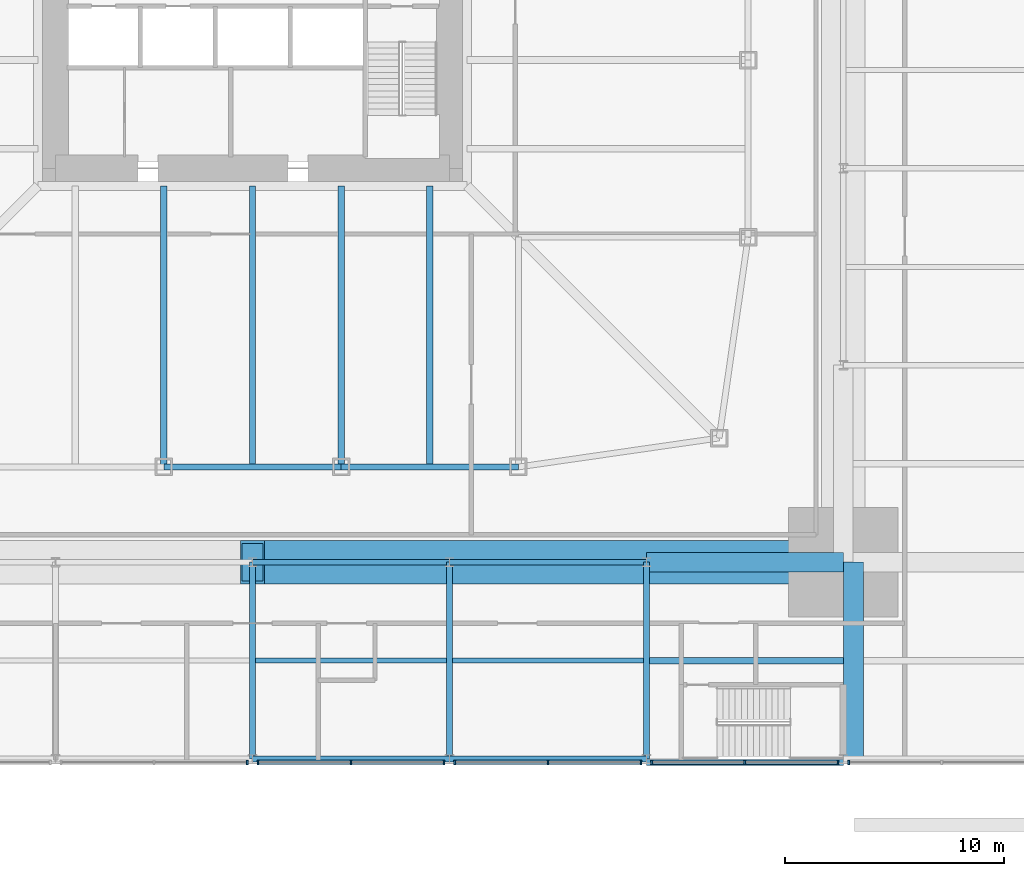
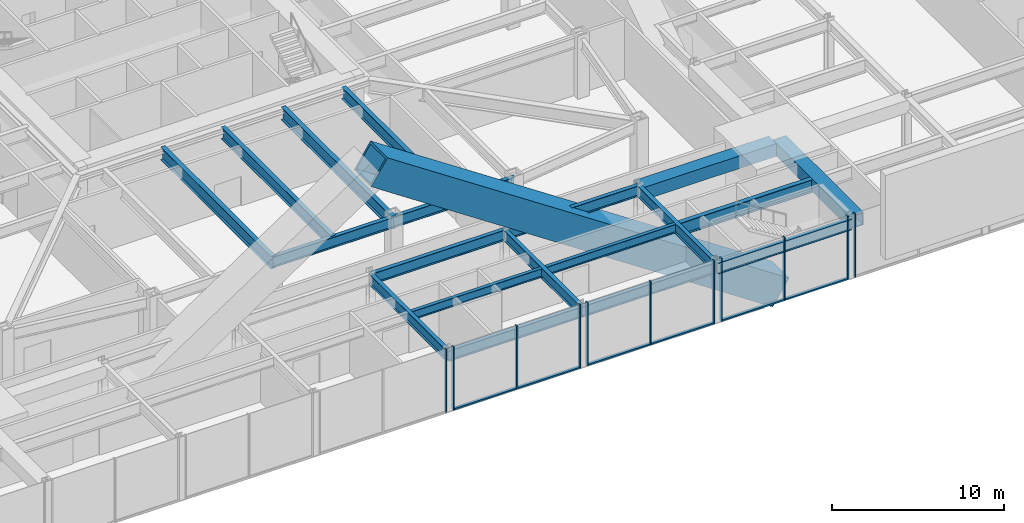
# One storey, part 8 of 32: 19 beams, 18 members, 5 elements without a shape of their own.
"""IFC4 building model written with IfcOpenShell, lengths in metres."""

from ifc_helpers import new_model, si_unit, direction, frame, origin, origin_2d, place, context, subcontext, project, spatial, rectangle, hollow_rectangle, i_section, extrude, material, material_profile, profile_set, type_object, element, aggregate, save


model = new_model("IFC4")

# Units and contexts
model_context = context("Model", 3, precision=1e-05, world=origin(), true_north=direction((0.0, 1.0)))
body_context = subcontext(model_context, "Body", "Model", "MODEL_VIEW")
ifc_project = project(units=[si_unit("LENGTHUNIT", "METRE"), si_unit("AREAUNIT", "SQUARE_METRE"), si_unit("VOLUMEUNIT", "CUBIC_METRE"), si_unit("PLANEANGLEUNIT", "RADIAN"), si_unit("MASSUNIT", "GRAM", prefix="KILO")], contexts=[model_context])

# Site, building, storey
site_placement = place(None, origin())
site = spatial("IfcSite", under=ifc_project, at=site_placement, CompositionType="ELEMENT")
building_placement = place(site_placement, origin())
building = spatial("IfcBuilding", under=site, at=building_placement, Name="Iwan Alto Co-Living Towers", CompositionType="ELEMENT")
storey_placement = place(building_placement, frame((0.0, 0.0, 6.0)))
storey = spatial("IfcBuildingStorey", under=building, at=storey_placement, Name="L01", CompositionType="ELEMENT", Elevation=6.0)

# Curtain wall, member
ifc_material_1 = material(Name="Bronze aluminium stick frame", Category="aluminium")
curtain_wall_type = type_object("IfcCurtainWallType", Name="CURTAIN WALL CW-E", PredefinedType="NOTDEFINED", material=ifc_material_1)
curtain_wall_1_placement = place(storey_placement, origin())
curtain_wall_1 = element("IfcCurtainWall", 1, at=curtain_wall_1_placement, inside=storey, type_object=curtain_wall_type, Name="Podium curtain wall S L01", PredefinedType="NOTDEFINED")
ifc_material_2 = material(Name="Aluminium 6063-T6 bronze anodised", Category="aluminium")
ifc_material_profile_1 = material_profile(ifc_material_2, rectangle(XDim=0.199951171875, YDim=0.080078125, at=origin_2d()), Name="AL 80X200")
ifc_profile_set_1 = profile_set([ifc_material_profile_1], Name="Aluminium 6063-T6 bronze anodised")
member_type_1 = type_object("IfcMemberType", Name="CW-E MULLION 80X200", PredefinedType="MULLION", material=ifc_profile_set_1)
member_1_placement = place(storey_placement, frame((-0.245849609375, -36.14990234375, 0.0), z_axis=(0.0, 0.0, 1.0), x_axis=(0.0, 1.0, 0.0)))
member_1 = element("IfcMember", 2, at=member_1_placement, type_object=member_type_1, Name="CW-E mullion 3", PredefinedType="MULLION", context=body_context, shape_type="SweptSolid", body=[
    extrude(rectangle(XDim=0.199951171875, YDim=0.080078125, at=origin_2d()), origin(), (0.0, 0.0, 1.0), 4.5),
])
aggregate(curtain_wall_1, [member_1])

# Curtain wall, members
curtain_wall_2_placement = place(storey_placement, origin())
curtain_wall_2 = element("IfcCurtainWall", 3, at=curtain_wall_2_placement, inside=storey, type_object=curtain_wall_type, Name="Podium curtain wall S L01", PredefinedType="NOTDEFINED")
member_2_placement = place(storey_placement, frame((0.245849609375, -36.14990234375, 0.0), z_axis=(0.0, 0.0, 1.0), x_axis=(0.0, 1.0, 0.0)))
member_2 = element("IfcMember", 4, at=member_2_placement, type_object=member_type_1, Name="CW-E mullion 1", PredefinedType="MULLION", context=body_context, shape_type="SweptSolid", body=[
    extrude(rectangle(XDim=0.199951171875, YDim=0.080078125, at=origin_2d()), origin(), (0.0, 0.0, 1.0), 4.5),
])
member_3_placement = place(storey_placement, frame((4.5, -36.14990234375, 0.0), z_axis=(0.0, 0.0, 1.0), x_axis=(0.0, 1.0, 0.0)))
member_3 = element("IfcMember", 5, at=member_3_placement, type_object=member_type_1, Name="CW-E mullion 2", PredefinedType="MULLION", context=body_context, shape_type="SweptSolid", body=[
    extrude(rectangle(XDim=0.199951171875, YDim=0.080078125, at=origin_2d()), origin(), (0.0, 0.0, 1.0), 4.5),
])
member_4_placement = place(storey_placement, frame((8.754150390625, -36.14990234375, 0.0), z_axis=(0.0, 0.0, 1.0), x_axis=(0.0, 1.0, 0.0)))
member_4 = element("IfcMember", 6, at=member_4_placement, type_object=member_type_1, Name="CW-E mullion 3", PredefinedType="MULLION", context=body_context, shape_type="SweptSolid", body=[
    extrude(rectangle(XDim=0.199951171875, YDim=0.080078125, at=origin_2d()), origin(), (0.0, 0.0, 1.0), 4.5),
])

curtain_wall_3_placement = place(storey_placement, origin())
curtain_wall_3 = element("IfcCurtainWall", 7, at=curtain_wall_3_placement, inside=storey, type_object=curtain_wall_type, Name="Podium curtain wall S L01", PredefinedType="NOTDEFINED")
member_5_placement = place(storey_placement, frame((9.245849609375, -36.14990234375, 0.0), z_axis=(0.0, 0.0, 1.0), x_axis=(0.0, 1.0, 0.0)))
member_5 = element("IfcMember", 8, at=member_5_placement, type_object=member_type_1, Name="CW-E mullion 1", PredefinedType="MULLION", context=body_context, shape_type="SweptSolid", body=[
    extrude(rectangle(XDim=0.199951171875, YDim=0.080078125, at=origin_2d()), origin(), (0.0, 0.0, 1.0), 4.5),
])
member_6_placement = place(storey_placement, frame((13.5, -36.14990234375, 0.0), z_axis=(0.0, 0.0, 1.0), x_axis=(0.0, 1.0, 0.0)))
member_6 = element("IfcMember", 9, at=member_6_placement, type_object=member_type_1, Name="CW-E mullion 2", PredefinedType="MULLION", context=body_context, shape_type="SweptSolid", body=[
    extrude(rectangle(XDim=0.199951171875, YDim=0.080078125, at=origin_2d()), origin(), (0.0, 0.0, 1.0), 4.5),
])
member_7_placement = place(storey_placement, frame((17.754150390625, -36.14990234375, 0.0), z_axis=(0.0, 0.0, 1.0), x_axis=(0.0, 1.0, 0.0)))
member_7 = element("IfcMember", 10, at=member_7_placement, type_object=member_type_1, Name="CW-E mullion 3", PredefinedType="MULLION", context=body_context, shape_type="SweptSolid", body=[
    extrude(rectangle(XDim=0.199951171875, YDim=0.080078125, at=origin_2d()), origin(), (0.0, 0.0, 1.0), 4.5),
])

curtain_wall_4_placement = place(storey_placement, origin())
curtain_wall_4 = element("IfcCurtainWall", 11, at=curtain_wall_4_placement, inside=storey, type_object=curtain_wall_type, Name="Podium curtain wall S L01", PredefinedType="NOTDEFINED")
member_8_placement = place(storey_placement, frame((18.245849609375, -36.14990234375, 0.0), z_axis=(0.0, 0.0, 1.0), x_axis=(0.0, 1.0, 0.0)))
member_8 = element("IfcMember", 12, at=member_8_placement, type_object=member_type_1, Name="CW-E mullion 1", PredefinedType="MULLION", context=body_context, shape_type="SweptSolid", body=[
    extrude(rectangle(XDim=0.199951171875, YDim=0.080078125, at=origin_2d()), origin(), (0.0, 0.0, 1.0), 4.5),
])
member_9_placement = place(storey_placement, frame((22.5, -36.14990234375, 0.0), z_axis=(0.0, 0.0, 1.0), x_axis=(0.0, 1.0, 0.0)))
member_9 = element("IfcMember", 13, at=member_9_placement, type_object=member_type_1, Name="CW-E mullion 2", PredefinedType="MULLION", context=body_context, shape_type="SweptSolid", body=[
    extrude(rectangle(XDim=0.199951171875, YDim=0.080078125, at=origin_2d()), origin(), (0.0, 0.0, 1.0), 4.5),
])
member_10_placement = place(storey_placement, frame((26.754150390625, -36.14990234375, 0.0), z_axis=(0.0, 0.0, 1.0), x_axis=(0.0, 1.0, 0.0)))
member_10 = element("IfcMember", 14, at=member_10_placement, type_object=member_type_1, Name="CW-E mullion 3", PredefinedType="MULLION", context=body_context, shape_type="SweptSolid", body=[
    extrude(rectangle(XDim=0.199951171875, YDim=0.080078125, at=origin_2d()), origin(), (0.0, 0.0, 1.0), 4.5),
])

# Curtain wall, member
curtain_wall_5_placement = place(storey_placement, origin())
curtain_wall_5 = element("IfcCurtainWall", 15, at=curtain_wall_5_placement, inside=storey, type_object=curtain_wall_type, Name="Podium curtain wall S L01", PredefinedType="NOTDEFINED")
member_11_placement = place(storey_placement, frame((27.245849609375, -36.14990234375, 0.0), z_axis=(0.0, 0.0, 1.0), x_axis=(0.0, 1.0, 0.0)))
member_11 = element("IfcMember", 16, at=member_11_placement, type_object=member_type_1, Name="CW-E mullion 1", PredefinedType="MULLION", context=body_context, shape_type="SweptSolid", body=[
    extrude(rectangle(XDim=0.199951171875, YDim=0.080078125, at=origin_2d()), origin(), (0.0, 0.0, 1.0), 4.5),
])
aggregate(curtain_wall_5, [member_11])

# Member
ifc_material_3 = material(Name="Aluminium 6063-T6 bronze anodised", Category="aluminium")
ifc_material_profile_2 = material_profile(ifc_material_3, rectangle(XDim=0.199951171875, YDim=0.10009765625, at=origin_2d()), Name="AL 200X100")
ifc_profile_set_2 = profile_set([ifc_material_profile_2], Name="Aluminium 6063-T6 bronze anodised")
member_type_2 = type_object("IfcMemberType", Name="CW-E TRANSOM 200X100", PredefinedType="USERDEFINED", material=ifc_profile_set_2)
member_12_placement = place(storey_placement, frame((0.28564453125, -36.14990234375, 0.050048828125), z_axis=(1.0, 0.0, 0.0), x_axis=(0.0, 1.0, 0.0)))
member_12 = element("IfcMember", 17, at=member_12_placement, type_object=member_type_2, Name="CW-E transom 1.1", ObjectType="TRANSOM", PredefinedType="USERDEFINED", context=body_context, shape_type="SweptSolid", body=[
    extrude(rectangle(XDim=0.199951171875, YDim=0.10009765625, at=origin_2d()), origin(), (0.0, 0.0, 1.0), 4.17431640625),
])

member_13_placement = place(storey_placement, frame((4.5400390625, -36.14990234375, 0.050048828125), z_axis=(1.0, 0.0, 0.0), x_axis=(0.0, 1.0, 0.0)))
member_13 = element("IfcMember", 18, at=member_13_placement, type_object=member_type_2, Name="CW-E transom 2.1", ObjectType="TRANSOM", PredefinedType="USERDEFINED", context=body_context, shape_type="SweptSolid", body=[
    extrude(rectangle(XDim=0.199951171875, YDim=0.10009765625, at=origin_2d()), origin(), (0.0, 0.0, 1.0), 4.17431640625),
])

aggregate(curtain_wall_2, [member_2, member_3, member_4, member_12, member_13])

member_14_placement = place(storey_placement, frame((9.28564453125, -36.14990234375, 0.050048828125), z_axis=(1.0, 0.0, 0.0), x_axis=(0.0, 1.0, 0.0)))
member_14 = element("IfcMember", 19, at=member_14_placement, type_object=member_type_2, Name="CW-E transom 1.1", ObjectType="TRANSOM", PredefinedType="USERDEFINED", context=body_context, shape_type="SweptSolid", body=[
    extrude(rectangle(XDim=0.199951171875, YDim=0.10009765625, at=origin_2d()), origin(), (0.0, 0.0, 1.0), 4.17431640625),
])

member_15_placement = place(storey_placement, frame((13.5400390625, -36.14990234375, 0.050048828125), z_axis=(1.0, 0.0, 0.0), x_axis=(0.0, 1.0, 0.0)))
member_15 = element("IfcMember", 20, at=member_15_placement, type_object=member_type_2, Name="CW-E transom 2.1", ObjectType="TRANSOM", PredefinedType="USERDEFINED", context=body_context, shape_type="SweptSolid", body=[
    extrude(rectangle(XDim=0.199951171875, YDim=0.10009765625, at=origin_2d()), origin(), (0.0, 0.0, 1.0), 4.17431640625),
])

aggregate(curtain_wall_3, [member_5, member_6, member_7, member_14, member_15])

member_16_placement = place(storey_placement, frame((18.28564453125, -36.14990234375, 0.050048828125), z_axis=(1.0, 0.0, 0.0), x_axis=(0.0, 1.0, 0.0)))
member_16 = element("IfcMember", 21, at=member_16_placement, type_object=member_type_2, Name="CW-E transom 1.1", ObjectType="TRANSOM", PredefinedType="USERDEFINED", context=body_context, shape_type="SweptSolid", body=[
    extrude(rectangle(XDim=0.199951171875, YDim=0.10009765625, at=origin_2d()), origin(), (0.0, 0.0, 1.0), 4.17431640625),
])

member_17_placement = place(storey_placement, frame((22.5400390625, -36.14990234375, 0.050048828125), z_axis=(1.0, 0.0, 0.0), x_axis=(0.0, 1.0, 0.0)))
member_17 = element("IfcMember", 22, at=member_17_placement, type_object=member_type_2, Name="CW-E transom 2.1", ObjectType="TRANSOM", PredefinedType="USERDEFINED", context=body_context, shape_type="SweptSolid", body=[
    extrude(rectangle(XDim=0.199951171875, YDim=0.10009765625, at=origin_2d()), origin(), (0.0, 0.0, 1.0), 4.17431640625),
])

aggregate(curtain_wall_4, [member_8, member_9, member_10, member_16, member_17])

# Beams
ifc_material_4 = material(Name="Steel ASTM A992 Gr 50", Category="steel")
ifc_material_profile_3 = material_profile(ifc_material_4, i_section(OverallWidth=0.2666015625, OverallDepth=0.76953125, WebThickness=0.015625, FlangeThickness=0.025390625, at=origin_2d()), Name="W30X132")
ifc_profile_set_3 = profile_set([ifc_material_profile_3], Name="Steel ASTM A992 Gr 50")
beam_type_1 = type_object("IfcBeamType", Name="PODIUM BEAM W30X132", PredefinedType="BEAM", material=ifc_profile_set_3)
for number, where, z_axis, x_axis, name in (
    (23, (0.0, -36.0, 3.865234375), (1.0, 0.0, 0.0), (0.0, 1.0, 0.0), "Podium beam 5/A-6/A L02"),
    (24, (0.0, -36.0, 3.865234375), (0.0, 1.0, 0.0), (-1.0, 0.0, 0.0), "Podium beam 5/A-5/B L02"),
    (25, (0.0, -27.0, 3.865234375), (1.0, 0.0, 0.0), (0.0, 1.0, 0.0), "Podium beam 5/B-6/B L02"),
    (26, (9.0, -36.0, 3.865234375), (1.0, 0.0, 0.0), (0.0, 1.0, 0.0), "Podium beam 6/A-7/A L02"),
    (27, (9.0, -36.0, 3.865234375), (0.0, 1.0, 0.0), (-1.0, 0.0, 0.0), "Podium beam 6/A-6/B L02"),
    (28, (9.0, -27.0, 3.865234375), (1.0, 0.0, 0.0), (0.0, 1.0, 0.0), "Podium beam 6/B-7/B L02"),
    (29, (18.0, -36.1533203125, 3.865234375), (1.0, 0.0, 0.0), (0.0, 1.0, 0.0), "Podium beam 7/A-8/A L02"),
    (30, (18.0, -36.0, 3.865234375), (0.0, 1.0, 0.0), (-1.0, 0.0, 0.0), "Podium beam 7/A-7/B L02"),
):
    element("IfcBeam", number, at=place(storey_placement, frame(where, z_axis=z_axis, x_axis=x_axis)), inside=storey, type_object=beam_type_1, Name=name, PredefinedType="BEAM", context=body_context, shape_type="SweptSolid", body=[
        extrude(i_section(OverallWidth=0.2666015625, OverallDepth=0.76953125, WebThickness=0.015625, FlangeThickness=0.025390625, at=origin_2d()), origin(), (0.0, 0.0, 1.0), 9.0),
    ])
ifc_material_5 = material(Name="Steel ASTM A992 Gr 50", Category="steel")
ifc_material_profile_4 = material_profile(ifc_material_5, i_section(OverallWidth=0.307373046875, OverallDepth=0.927001953125, WebThickness=0.01953125, FlangeThickness=0.031982421875, at=origin_2d()), Name="W36X194")
ifc_profile_set_4 = profile_set([ifc_material_profile_4], Name="Steel ASTM A992 Gr 50")
beam_type_2 = type_object("IfcBeamType", Name="PODIUM PIER BAY SECONDARY BEAM W36X194", PredefinedType="JOIST", material=ifc_profile_set_4)
beam_1_placement = place(storey_placement, frame((18.13330078125, -31.5, 3.786376953125), z_axis=(1.0, 0.0, 0.0), x_axis=(0.0, 1.0, 0.0)))
element("IfcBeam", 31, at=beam_1_placement, inside=storey, type_object=beam_type_2, Name="Podium secondary beam 7/A L02", PredefinedType="JOIST", context=body_context, shape_type="SweptSolid", body=[
    extrude(i_section(OverallWidth=0.307373046875, OverallDepth=0.927001953125, WebThickness=0.01953125, FlangeThickness=0.031982421875, at=origin_2d()), origin(), (0.0, 0.0, 1.0), 8.88671875),
])
ifc_material_6 = material(Name="Steel ASTM A572 Gr 50", Category="steel")
ifc_material_profile_5 = material_profile(ifc_material_6, hollow_rectangle(XDim=0.89990234375, YDim=0.89990234375, WallThickness=0.06005859375, at=origin_2d()), Name="BOX 900X900X60")
ifc_profile_set_5 = profile_set([ifc_material_profile_5], Name="Steel ASTM A572 Gr 50")
beam_type_3 = type_object("IfcBeamType", Name="PODIUM PIER BEAM BOX 900X900X60", PredefinedType="BEAM", material=ifc_profile_set_5)
for number, where, z_axis, x_axis, name in (
    (32, (18.0, -27.0, 3.800048828125), (1.0, 0.0, 0.0), (0.0, 1.0, 0.0), "Podium beam 7/B-8/B L02"),
    (33, (27.469970703125, -36.0, 3.800048828125), (0.0, 1.0, 0.0), (-1.0, 0.0, 0.0), "Podium beam 8/A-8/B L02"),
):
    element("IfcBeam", number, at=place(storey_placement, frame(where, z_axis=z_axis, x_axis=x_axis)), inside=storey, type_object=beam_type_3, Name=name, PredefinedType="BEAM", context=body_context, shape_type="SweptSolid", body=[
        extrude(hollow_rectangle(XDim=0.89990234375, YDim=0.89990234375, WallThickness=0.06005859375, at=origin_2d()), origin(), (0.0, 0.0, 1.0), 9.0),
    ])
ifc_material_7 = material(Name="Steel ASTM A992 Gr 50", Category="steel")
ifc_material_profile_6 = material_profile(ifc_material_7, i_section(OverallWidth=0.23046875, OverallDepth=0.6171875, WebThickness=0.01318359375, FlangeThickness=0.022216796875, at=origin_2d()), Name="W24X94")
ifc_profile_set_6 = profile_set([ifc_material_profile_6], Name="Steel ASTM A992 Gr 50")
beam_type_4 = type_object("IfcBeamType", Name="PODIUM SECONDARY BEAM W24X94", PredefinedType="JOIST", material=ifc_profile_set_6)
for number, where, z_axis, x_axis, name in (
    (34, (0.13330078125, -31.5, 3.94140625), (1.0, 0.0, 0.0), (0.0, 1.0, 0.0), "Podium secondary beam 5/A L02"),
    (35, (9.13330078125, -31.5, 3.94140625), (1.0, 0.0, 0.0), (0.0, 1.0, 0.0), "Podium secondary beam 6/A L02"),
):
    element("IfcBeam", number, at=place(storey_placement, frame(where, z_axis=z_axis, x_axis=x_axis)), inside=storey, type_object=beam_type_4, Name=name, PredefinedType="JOIST", context=body_context, shape_type="SweptSolid", body=[
        extrude(i_section(OverallWidth=0.23046875, OverallDepth=0.6171875, WebThickness=0.01318359375, FlangeThickness=0.022216796875, at=origin_2d()), origin(), (0.0, 0.0, 1.0), 8.7333984375),
    ])
ifc_material_8 = material(Name="Steel ASTM A992 Gr 50", Category="steel")
ifc_material_profile_7 = material_profile(ifc_material_8, i_section(OverallWidth=0.2666015625, OverallDepth=0.761962890625, WebThickness=0.014404296875, FlangeThickness=0.021484375, at=origin_2d()), Name="W30X116")
ifc_profile_set_7 = profile_set([ifc_material_profile_7], Name="Steel ASTM A992 Gr 50")
beam_type_5 = type_object("IfcBeamType", Name="T1 EDGE BEAM W30X116", PredefinedType="BEAM", material=ifc_profile_set_7)
beam_2_placement = place(storey_placement, frame((-4.050048828125, -22.64990234375, 3.868896484375), z_axis=(1.0, 0.0, 0.0), x_axis=(0.0, 1.0, 0.0)))
element("IfcBeam", 36, at=beam_2_placement, inside=storey, type_object=beam_type_5, Name="T1 edge beam S2 L02", PredefinedType="BEAM", context=body_context, shape_type="SweptSolid", body=[
    extrude(i_section(OverallWidth=0.2666015625, OverallDepth=0.761962890625, WebThickness=0.014404296875, FlangeThickness=0.021484375, at=origin_2d()), origin(), (0.0, 0.0, 1.0), 8.10009765625),
])
beam_3_placement = place(storey_placement, frame((4.050048828125, -22.64990234375, 3.868896484375), z_axis=(1.0, 0.0, 0.0), x_axis=(0.0, 1.0, 0.0)))
element("IfcBeam", 37, at=beam_3_placement, inside=storey, type_object=beam_type_5, Name="T1 edge beam S3 L02", PredefinedType="BEAM", context=body_context, shape_type="SweptSolid", body=[
    extrude(i_section(OverallWidth=0.2666015625, OverallDepth=0.761962890625, WebThickness=0.014404296875, FlangeThickness=0.021484375, at=origin_2d()), origin(), (0.0, 0.0, 1.0), 8.099853515625),
])

# Member
ifc_material_9 = material(Name="Steel ASTM A572 Gr 42", Category="steel")
ifc_material_profile_8 = material_profile(ifc_material_9, hollow_rectangle(XDim=2.0, YDim=2.0, WallThickness=0.139892578125, at=origin_2d()), Name="BOX 2000X2000X140")
ifc_profile_set_8 = profile_set([ifc_material_profile_8], Name="Steel ASTM A572 Gr 42")
member_type_3 = type_object("IfcMemberType", Name="T1 MEGA BRACE BOX 2000X2000X140", PredefinedType="BRACE", material=ifc_profile_set_8)
member_18_placement = place(storey_placement, frame((27.0, -27.0, -6.0), z_axis=(-0.832050294338, 0.0, 0.554700196225), x_axis=(0.0, -1.0, 0.0)))
element("IfcMember", 38, at=member_18_placement, inside=storey, type_object=member_type_3, Name="T1 mega brace Z1A S 2 lower", PredefinedType="BRACE", context=body_context, shape_type="SweptSolid", body=[
    extrude(hollow_rectangle(XDim=2.0, YDim=2.0, WallThickness=0.139892578125, at=origin_2d()), origin(), (0.0, 0.0, 1.0), 32.449951171875),
])

# Beams
ifc_material_10 = material(Name="Steel ASTM A992 Gr 50", Category="steel")
ifc_material_profile_9 = material_profile(ifc_material_10, i_section(OverallWidth=0.3046875, OverallDepth=0.911865234375, WebThickness=0.015869140625, FlangeThickness=0.02392578125, at=origin_2d()), Name="W36X150")
ifc_profile_set_9 = profile_set([ifc_material_profile_9], Name="Steel ASTM A992 Gr 50")
beam_type_6 = type_object("IfcBeamType", Name="T1 RADIAL BEAM W36X150", PredefinedType="BEAM", material=ifc_profile_set_9)
for number, where, z_axis, x_axis, name in (
    (39, (-4.050048828125, -22.64990234375, 3.794189453125), (0.0, 1.0, 0.0), (-1.0, 0.0, 0.0), "T1 radial beam S2 L02"),
    (40, (4.050048828125, -22.64990234375, 3.794189453125), (0.0, 1.0, 0.0), (-1.0, 0.0, 0.0), "T1 radial beam S3 L02"),
):
    element("IfcBeam", number, at=place(storey_placement, frame(where, z_axis=z_axis, x_axis=x_axis)), inside=storey, type_object=beam_type_6, Name=name, PredefinedType="BEAM", context=body_context, shape_type="SweptSolid", body=[
        extrude(i_section(OverallWidth=0.3046875, OverallDepth=0.911865234375, WebThickness=0.015869140625, FlangeThickness=0.02392578125, at=origin_2d()), origin(), (0.0, 0.0, 1.0), 12.847900390625),
    ])
ifc_material_11 = material(Name="Steel ASTM A992 Gr 50", Category="steel")
ifc_material_profile_10 = material_profile(ifc_material_11, i_section(OverallWidth=0.2919921875, OverallDepth=0.8408203125, WebThickness=0.0146484375, FlangeThickness=0.021728515625, at=origin_2d()), Name="W33X130")
ifc_profile_set_10 = profile_set([ifc_material_profile_10], Name="Steel ASTM A992 Gr 50")
beam_type_7 = type_object("IfcBeamType", Name="T1 SECONDARY BEAM W33X130", PredefinedType="JOIST", material=ifc_profile_set_10)
for number, where, z_axis, x_axis, name in (
    (41, (0.0, -22.64990234375, 3.82958984375), (0.0, 1.0, 0.0), (-1.0, 0.0, 0.0), "T1 secondary beam S2 L02"),
    (42, (8.10009765625, -22.64990234375, 3.82958984375), (0.0, 1.0, 0.0), (-1.0, 0.0, 0.0), "T1 secondary beam S3 L02"),
):
    element("IfcBeam", number, at=place(storey_placement, frame(where, z_axis=z_axis, x_axis=x_axis)), inside=storey, type_object=beam_type_7, Name=name, PredefinedType="JOIST", context=body_context, shape_type="SweptSolid", body=[
        extrude(i_section(OverallWidth=0.2919921875, OverallDepth=0.8408203125, WebThickness=0.0146484375, FlangeThickness=0.021728515625, at=origin_2d()), origin(), (0.0, 0.0, 1.0), 12.847900390625),
    ])

save(model, "model.ifc")
